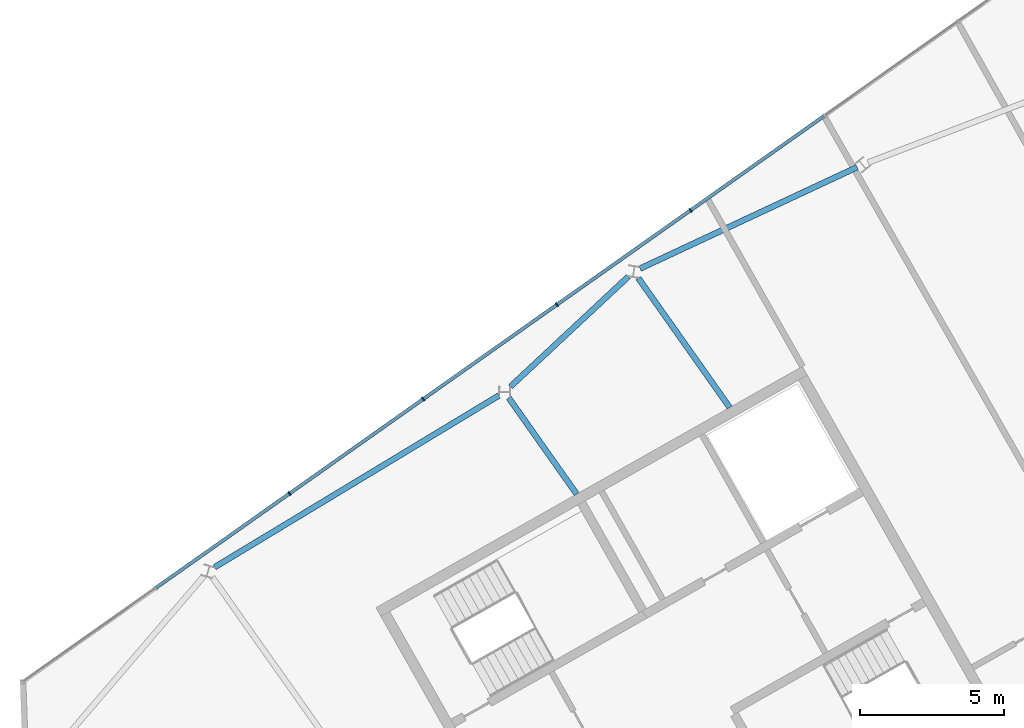
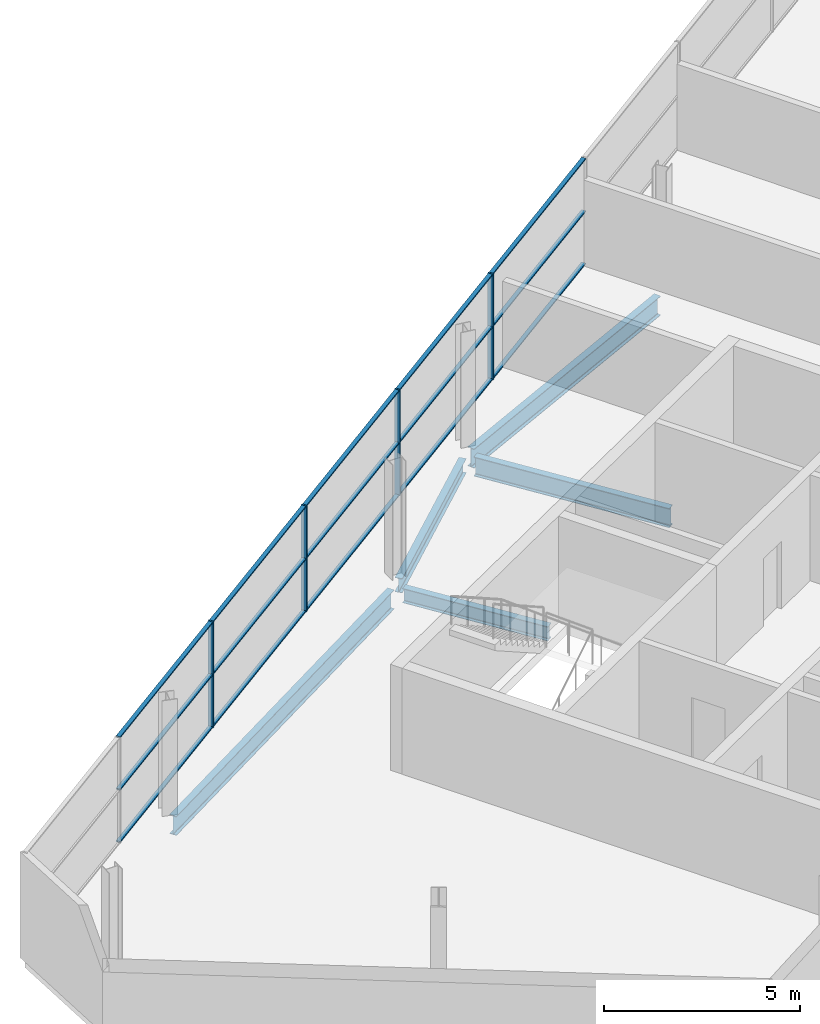
# One storey, part 5 of 10: 19 members, 5 beams, 1 element without a shape of its own.
"""IFC4 building model written with IfcOpenShell, lengths in metres."""

from ifc_helpers import new_model, si_unit, direction, frame, origin, origin_2d, place, context, subcontext, project, spatial, rectangle, i_section, extrude, material, material_profile, profile_set, type_object, element, aggregate, save


model = new_model("IFC4")

# Units and contexts
model_context = context("Model", 3, precision=1e-05, world=origin(), true_north=direction((0.0, 1.0)))
body_context = subcontext(model_context, "Body", "Model", "MODEL_VIEW")
ifc_project = project(units=[si_unit("LENGTHUNIT", "METRE"), si_unit("AREAUNIT", "SQUARE_METRE"), si_unit("VOLUMEUNIT", "CUBIC_METRE"), si_unit("PLANEANGLEUNIT", "RADIAN"), si_unit("MASSUNIT", "GRAM", prefix="KILO")], contexts=[model_context])

# Site, building, storey
site_placement = place(None, origin())
site = spatial("IfcSite", under=ifc_project, at=site_placement, CompositionType="ELEMENT")
building_placement = place(site_placement, origin())
building = spatial("IfcBuilding", under=site, at=building_placement, Name="Binnacle Exchange Tower", CompositionType="ELEMENT")
storey_placement = place(building_placement, frame((0.0, 0.0, 364.89990234375)))
storey = spatial("IfcBuildingStorey", under=building, at=storey_placement, Name="L84", CompositionType="ELEMENT", Elevation=364.89990234375)

# Curtain wall, members
ifc_material_1 = material(Name="Bronze anodised aluminium frame", Category="aluminium")
curtain_wall_type = type_object("IfcCurtainWallType", Name="External wall - curtain wall crown top", PredefinedType="NOTDEFINED", material=ifc_material_1)
curtain_wall_placement = place(storey_placement, origin())
curtain_wall = element("IfcCurtainWall", 1, at=curtain_wall_placement, inside=storey, type_object=curtain_wall_type, Name="External wall curtain wall CW6-C303 L84", PredefinedType="NOTDEFINED")
ifc_material_profile_1 = material_profile(ifc_material_1, rectangle(XDim=0.14990234375, YDim=0.050048828125, at=origin_2d()), Name="AL 50x150")
ifc_profile_set_1 = profile_set([ifc_material_profile_1], Name="Bronze anodised aluminium frame")
member_type_1 = type_object("IfcMemberType", Name="CW6 MULLION 50x150", PredefinedType="MULLION", material=ifc_profile_set_1)
member_1_placement = place(storey_placement, frame((-35.6904296875, 55.4619140625, 0.0), z_axis=(0.0, 0.0, 1.0), x_axis=(0.576854127285, -0.816847180221, 0.0)))
member_1 = element("IfcMember", 2, at=member_1_placement, type_object=member_type_1, Name="CW6-C303 mullion 5", PredefinedType="MULLION", context=body_context, shape_type="SweptSolid", body=[
    extrude(rectangle(XDim=0.14990234375, YDim=0.050048828125, at=origin_2d()), origin(), (0.0, 0.0, 1.0), 3.300048828125),
])
member_2_placement = place(storey_placement, frame((-40.329833984375, 52.185546875, 0.0), z_axis=(0.0, 0.0, 1.0), x_axis=(0.576854127285, -0.816847180221, 0.0)))
member_2 = element("IfcMember", 3, at=member_2_placement, type_object=member_type_1, Name="CW6-C303 mullion 6", PredefinedType="MULLION", context=body_context, shape_type="SweptSolid", body=[
    extrude(rectangle(XDim=0.14990234375, YDim=0.050048828125, at=origin_2d()), origin(), (0.0, 0.0, 1.0), 3.300048828125),
])
member_3_placement = place(storey_placement, frame((-44.969482421875, 48.9091796875, 0.0), z_axis=(0.0, 0.0, 1.0), x_axis=(0.576854127285, -0.816847180221, 0.0)))
member_3 = element("IfcMember", 4, at=member_3_placement, type_object=member_type_1, Name="CW6-C303 mullion 7", PredefinedType="MULLION", context=body_context, shape_type="SweptSolid", body=[
    extrude(rectangle(XDim=0.14990234375, YDim=0.050048828125, at=origin_2d()), origin(), (0.0, 0.0, 1.0), 3.300048828125),
])
member_4_placement = place(storey_placement, frame((-49.60888671875, 45.6328125, 0.0), z_axis=(0.0, 0.0, 1.0), x_axis=(0.576854127285, -0.816847180221, 0.0)))
member_4 = element("IfcMember", 5, at=member_4_placement, type_object=member_type_1, Name="CW6-C303 mullion 8", PredefinedType="MULLION", context=body_context, shape_type="SweptSolid", body=[
    extrude(rectangle(XDim=0.14990234375, YDim=0.050048828125, at=origin_2d()), origin(), (0.0, 0.0, 1.0), 3.300048828125),
])
ifc_material_profile_2 = material_profile(ifc_material_1, rectangle(XDim=0.1201171875, YDim=0.0400390625, at=origin_2d()), Name="AL 120x40")
ifc_profile_set_2 = profile_set([ifc_material_profile_2], Name="Bronze anodised aluminium frame")
member_type_2 = type_object("IfcMemberType", Name="CW6 TRANSOM 40x120", PredefinedType="USERDEFINED", material=ifc_profile_set_2)
member_5_placement = place(storey_placement, frame((-31.0712890625, 58.723876953125, 0.02001953125), z_axis=(-0.816845257746, -0.576856849572, 0.0), x_axis=(0.576856849572, -0.816845257746, 0.0)))
member_5 = element("IfcMember", 6, at=member_5_placement, type_object=member_type_2, Name="CW6-C303 transom 4.1", ObjectType="TRANSOM", PredefinedType="USERDEFINED", context=body_context, shape_type="SweptSolid", body=[
    extrude(rectangle(XDim=0.1201171875, YDim=0.0400390625, at=origin_2d()), origin(), (0.0, 0.0, 1.0), 5.629638671875),
])
member_6_placement = place(storey_placement, frame((-31.0712890625, 58.723876953125, 1.650146484375), z_axis=(-0.816845257746, -0.576856849572, 0.0), x_axis=(0.576856849572, -0.816845257746, 0.0)))
member_6 = element("IfcMember", 7, at=member_6_placement, type_object=member_type_2, Name="CW6-C303 transom 4.2", ObjectType="TRANSOM", PredefinedType="USERDEFINED", context=body_context, shape_type="SweptSolid", body=[
    extrude(rectangle(XDim=0.1201171875, YDim=0.0400390625, at=origin_2d()), origin(), (0.0, 0.0, 1.0), 5.629638671875),
])
member_7_placement = place(storey_placement, frame((-31.0712890625, 58.723876953125, 3.280029296875), z_axis=(-0.816845257746, -0.576856849572, 0.0), x_axis=(0.576856849572, -0.816845257746, 0.0)))
member_7 = element("IfcMember", 8, at=member_7_placement, type_object=member_type_2, Name="CW6-C303 transom 4.3", ObjectType="TRANSOM", PredefinedType="USERDEFINED", context=body_context, shape_type="SweptSolid", body=[
    extrude(rectangle(XDim=0.1201171875, YDim=0.0400390625, at=origin_2d()), origin(), (0.0, 0.0, 1.0), 5.629638671875),
])
member_8_placement = place(storey_placement, frame((-35.710693359375, 55.447509765625, 0.02001953125), z_axis=(-0.816859687673, -0.576836415853, 0.0), x_axis=(0.576836415853, -0.816859687673, 0.0)))
member_8 = element("IfcMember", 9, at=member_8_placement, type_object=member_type_2, Name="CW6-C303 transom 5.1", ObjectType="TRANSOM", PredefinedType="USERDEFINED", context=body_context, shape_type="SweptSolid", body=[
    extrude(rectangle(XDim=0.1201171875, YDim=0.0400390625, at=origin_2d()), origin(), (0.0, 0.0, 1.0), 5.6298828125),
])
member_9_placement = place(storey_placement, frame((-35.710693359375, 55.447509765625, 1.650146484375), z_axis=(-0.816859687673, -0.576836415853, 0.0), x_axis=(0.576836415853, -0.816859687673, 0.0)))
member_9 = element("IfcMember", 10, at=member_9_placement, type_object=member_type_2, Name="CW6-C303 transom 5.2", ObjectType="TRANSOM", PredefinedType="USERDEFINED", context=body_context, shape_type="SweptSolid", body=[
    extrude(rectangle(XDim=0.1201171875, YDim=0.0400390625, at=origin_2d()), origin(), (0.0, 0.0, 1.0), 5.6298828125),
])
member_10_placement = place(storey_placement, frame((-35.710693359375, 55.447509765625, 3.280029296875), z_axis=(-0.816859687673, -0.576836415853, 0.0), x_axis=(0.576836415853, -0.816859687673, 0.0)))
member_10 = element("IfcMember", 11, at=member_10_placement, type_object=member_type_2, Name="CW6-C303 transom 5.3", ObjectType="TRANSOM", PredefinedType="USERDEFINED", context=body_context, shape_type="SweptSolid", body=[
    extrude(rectangle(XDim=0.1201171875, YDim=0.0400390625, at=origin_2d()), origin(), (0.0, 0.0, 1.0), 5.6298828125),
])
member_11_placement = place(storey_placement, frame((-40.350341796875, 52.171142578125, 0.02001953125), z_axis=(-0.816845257746, -0.576856849572, 0.0), x_axis=(0.576856849572, -0.816845257746, 0.0)))
member_11 = element("IfcMember", 12, at=member_11_placement, type_object=member_type_2, Name="CW6-C303 transom 6.1", ObjectType="TRANSOM", PredefinedType="USERDEFINED", context=body_context, shape_type="SweptSolid", body=[
    extrude(rectangle(XDim=0.1201171875, YDim=0.0400390625, at=origin_2d()), origin(), (0.0, 0.0, 1.0), 5.629638671875),
])
member_12_placement = place(storey_placement, frame((-40.350341796875, 52.171142578125, 1.650146484375), z_axis=(-0.816845257746, -0.576856849572, 0.0), x_axis=(0.576856849572, -0.816845257746, 0.0)))
member_12 = element("IfcMember", 13, at=member_12_placement, type_object=member_type_2, Name="CW6-C303 transom 6.2", ObjectType="TRANSOM", PredefinedType="USERDEFINED", context=body_context, shape_type="SweptSolid", body=[
    extrude(rectangle(XDim=0.1201171875, YDim=0.0400390625, at=origin_2d()), origin(), (0.0, 0.0, 1.0), 5.629638671875),
])
member_13_placement = place(storey_placement, frame((-40.350341796875, 52.171142578125, 3.280029296875), z_axis=(-0.816845257746, -0.576856849572, 0.0), x_axis=(0.576856849572, -0.816845257746, 0.0)))
member_13 = element("IfcMember", 14, at=member_13_placement, type_object=member_type_2, Name="CW6-C303 transom 6.3", ObjectType="TRANSOM", PredefinedType="USERDEFINED", context=body_context, shape_type="SweptSolid", body=[
    extrude(rectangle(XDim=0.1201171875, YDim=0.0400390625, at=origin_2d()), origin(), (0.0, 0.0, 1.0), 5.629638671875),
])
member_14_placement = place(storey_placement, frame((-44.989990234375, 48.894775390625, 0.02001953125), z_axis=(-0.816845257746, -0.576856849572, 0.0), x_axis=(0.576856849572, -0.816845257746, 0.0)))
member_14 = element("IfcMember", 15, at=member_14_placement, type_object=member_type_2, Name="CW6-C303 transom 7.1", ObjectType="TRANSOM", PredefinedType="USERDEFINED", context=body_context, shape_type="SweptSolid", body=[
    extrude(rectangle(XDim=0.1201171875, YDim=0.0400390625, at=origin_2d()), origin(), (0.0, 0.0, 1.0), 5.629638671875),
])
member_15_placement = place(storey_placement, frame((-44.989990234375, 48.894775390625, 1.650146484375), z_axis=(-0.816845257746, -0.576856849572, 0.0), x_axis=(0.576856849572, -0.816845257746, 0.0)))
member_15 = element("IfcMember", 16, at=member_15_placement, type_object=member_type_2, Name="CW6-C303 transom 7.2", ObjectType="TRANSOM", PredefinedType="USERDEFINED", context=body_context, shape_type="SweptSolid", body=[
    extrude(rectangle(XDim=0.1201171875, YDim=0.0400390625, at=origin_2d()), origin(), (0.0, 0.0, 1.0), 5.629638671875),
])
member_16_placement = place(storey_placement, frame((-44.989990234375, 48.894775390625, 3.280029296875), z_axis=(-0.816845257746, -0.576856849572, 0.0), x_axis=(0.576856849572, -0.816845257746, 0.0)))
member_16 = element("IfcMember", 17, at=member_16_placement, type_object=member_type_2, Name="CW6-C303 transom 7.3", ObjectType="TRANSOM", PredefinedType="USERDEFINED", context=body_context, shape_type="SweptSolid", body=[
    extrude(rectangle(XDim=0.1201171875, YDim=0.0400390625, at=origin_2d()), origin(), (0.0, 0.0, 1.0), 5.629638671875),
])
member_17_placement = place(storey_placement, frame((-49.62939453125, 45.618408203125, 0.02001953125), z_axis=(-0.816845257746, -0.576856849572, 0.0), x_axis=(0.576856849572, -0.816845257746, 0.0)))
member_17 = element("IfcMember", 18, at=member_17_placement, type_object=member_type_2, Name="CW6-C303 transom 8.1", ObjectType="TRANSOM", PredefinedType="USERDEFINED", context=body_context, shape_type="SweptSolid", body=[
    extrude(rectangle(XDim=0.1201171875, YDim=0.0400390625, at=origin_2d()), origin(), (0.0, 0.0, 1.0), 5.629638671875),
])
member_18_placement = place(storey_placement, frame((-49.62939453125, 45.618408203125, 1.650146484375), z_axis=(-0.816845257746, -0.576856849572, 0.0), x_axis=(0.576856849572, -0.816845257746, 0.0)))
member_18 = element("IfcMember", 19, at=member_18_placement, type_object=member_type_2, Name="CW6-C303 transom 8.2", ObjectType="TRANSOM", PredefinedType="USERDEFINED", context=body_context, shape_type="SweptSolid", body=[
    extrude(rectangle(XDim=0.1201171875, YDim=0.0400390625, at=origin_2d()), origin(), (0.0, 0.0, 1.0), 5.629638671875),
])
member_19_placement = place(storey_placement, frame((-49.62939453125, 45.618408203125, 3.280029296875), z_axis=(-0.816845257746, -0.576856849572, 0.0), x_axis=(0.576856849572, -0.816845257746, 0.0)))
member_19 = element("IfcMember", 20, at=member_19_placement, type_object=member_type_2, Name="CW6-C303 transom 8.3", ObjectType="TRANSOM", PredefinedType="USERDEFINED", context=body_context, shape_type="SweptSolid", body=[
    extrude(rectangle(XDim=0.1201171875, YDim=0.0400390625, at=origin_2d()), origin(), (0.0, 0.0, 1.0), 5.629638671875),
])
aggregate(curtain_wall, [member_1, member_2, member_3, member_4, member_5, member_6, member_7, member_8, member_9, member_10, member_11, member_12, member_13, member_14, member_15, member_16, member_17, member_18, member_19])

# Beams
ifc_material_2 = material(Name="Steel S355 (SHN355)", Category="steel")
ifc_material_profile_3 = material_profile(ifc_material_2, i_section(OverallWidth=0.199951171875, OverallDepth=0.449951171875, WebThickness=0.009033203125, FlangeThickness=0.013916015625, FilletRadius=0.01806640625, at=origin_2d()), Name="H 450x200x9x14")
ifc_profile_set_3 = profile_set([ifc_material_profile_3], Name="Steel S355 (SHN355)")
beam_type_1 = type_object("IfcBeamType", Name="Edge girder H 450x200x9x14 Steel S355 (SHN355)", PredefinedType="SPANDREL", material=ifc_profile_set_3)
beam_1_placement = place(storey_placement, frame((-37.849365234375, 53.160888671875, -0.52490234375), z_axis=(-0.731114744956, -0.682254519742, 0.0), x_axis=(0.682254519742, -0.731114744956, 0.0)))
element("IfcBeam", 21, at=beam_1_placement, inside=storey, type_object=beam_type_1, Name="S:BM:edge:L84:008", PredefinedType="SPANDREL", context=body_context, shape_type="SweptSolid", body=[
    extrude(i_section(OverallWidth=0.199951171875, OverallDepth=0.449951171875, WebThickness=0.009033203125, FlangeThickness=0.013916015625, FilletRadius=0.01806640625, at=origin_2d()), origin(), (0.0, 0.0, 1.0), 5.596435546875),
])
ifc_material_profile_4 = material_profile(ifc_material_2, i_section(OverallWidth=0.199951171875, OverallDepth=0.60009765625, WebThickness=0.010986328125, FlangeThickness=0.01708984375, FilletRadius=0.02197265625, at=origin_2d()), Name="H 600x200x11x17")
ifc_profile_set_4 = profile_set([ifc_material_profile_4], Name="Steel S355 (SHN355)")
beam_type_2 = type_object("IfcBeamType", Name="Edge girder H 600x200x11x17 Steel S355 (SHN355)", PredefinedType="SPANDREL", material=ifc_profile_set_4)
beam_2_placement = place(storey_placement, frame((-42.346435546875, 49.03076171875, -0.599853515625), z_axis=(-0.855938218744, -0.517078104056, 0.0), x_axis=(0.517078104056, -0.855938218744, 0.0)))
element("IfcBeam", 22, at=beam_2_placement, inside=storey, type_object=beam_type_2, Name="S:BM:edge:L84:007", PredefinedType="SPANDREL", context=body_context, shape_type="SweptSolid", body=[
    extrude(i_section(OverallWidth=0.199951171875, OverallDepth=0.60009765625, WebThickness=0.010986328125, FlangeThickness=0.01708984375, FilletRadius=0.02197265625, at=origin_2d()), origin(), (0.0, 0.0, 1.0), 11.515380859375),
])
beam_3_placement = place(storey_placement, frame((-29.916259765625, 56.9541015625, -0.599853515625), z_axis=(-0.90596987094, -0.423342170058, 0.0), x_axis=(0.423342170058, -0.90596987094, 0.0)))
element("IfcBeam", 23, at=beam_3_placement, inside=storey, type_object=beam_type_2, Name="S:BM:edge:L84:009", PredefinedType="SPANDREL", context=body_context, shape_type="SweptSolid", body=[
    extrude(i_section(OverallWidth=0.199951171875, OverallDepth=0.60009765625, WebThickness=0.010986328125, FlangeThickness=0.01708984375, FilletRadius=0.02197265625, at=origin_2d()), origin(), (0.0, 0.0, 1.0), 8.310302734375),
])
ifc_material_profile_5 = material_profile(ifc_material_2, i_section(OverallWidth=0.199951171875, OverallDepth=0.449951171875, WebThickness=0.009033203125, FlangeThickness=0.013916015625, FilletRadius=0.01806640625, at=origin_2d()), Name="H 450x200x9x14")
ifc_profile_set_5 = profile_set([ifc_material_profile_5], Name="Steel S355 (SHN355)")
beam_type_3 = type_object("IfcBeamType", Name="Floor beam H 450x200x9x14 Steel S355 (SHN355)", PredefinedType="BEAM", material=ifc_profile_set_5)
beam_4_placement = place(storey_placement, frame((-42.001220703125, 48.950439453125, -0.52490234375), z_axis=(0.576838015969, -0.816858557728, 0.0), x_axis=(0.816858557728, 0.576838015969, 0.0)))
element("IfcBeam", 24, at=beam_4_placement, inside=storey, type_object=beam_type_3, Name="S:BM:cross:L84:012", PredefinedType="BEAM", context=body_context, shape_type="SweptSolid", body=[
    extrude(i_section(OverallWidth=0.199951171875, OverallDepth=0.449951171875, WebThickness=0.009033203125, FlangeThickness=0.013916015625, FilletRadius=0.01806640625, at=origin_2d()), origin(), (0.0, 0.0, 1.0), 4.0859375),
])
ifc_material_profile_6 = material_profile(ifc_material_2, i_section(OverallWidth=0.199951171875, OverallDepth=0.60009765625, WebThickness=0.010986328125, FlangeThickness=0.01708984375, FilletRadius=0.02197265625, at=origin_2d()), Name="H 600x200x11x17")
ifc_profile_set_6 = profile_set([ifc_material_profile_6], Name="Steel S355 (SHN355)")
beam_type_4 = type_object("IfcBeamType", Name="Floor beam H 600x200x11x17 Steel S355 (SHN355)", PredefinedType="BEAM", material=ifc_profile_set_6)
beam_5_placement = place(storey_placement, frame((-37.502685546875, 53.10546875, -0.599853515625), z_axis=(0.576845440179, -0.81685331495, 0.0), x_axis=(0.81685331495, 0.576845440179, 0.0)))
element("IfcBeam", 25, at=beam_5_placement, inside=storey, type_object=beam_type_4, Name="S:BM:cross:L84:014", PredefinedType="BEAM", context=body_context, shape_type="SweptSolid", body=[
    extrude(i_section(OverallWidth=0.199951171875, OverallDepth=0.60009765625, WebThickness=0.010986328125, FlangeThickness=0.01708984375, FilletRadius=0.02197265625, at=origin_2d()), origin(), (0.0, 0.0, 1.0), 5.493896484375),
])

save(model, "model.ifc")
